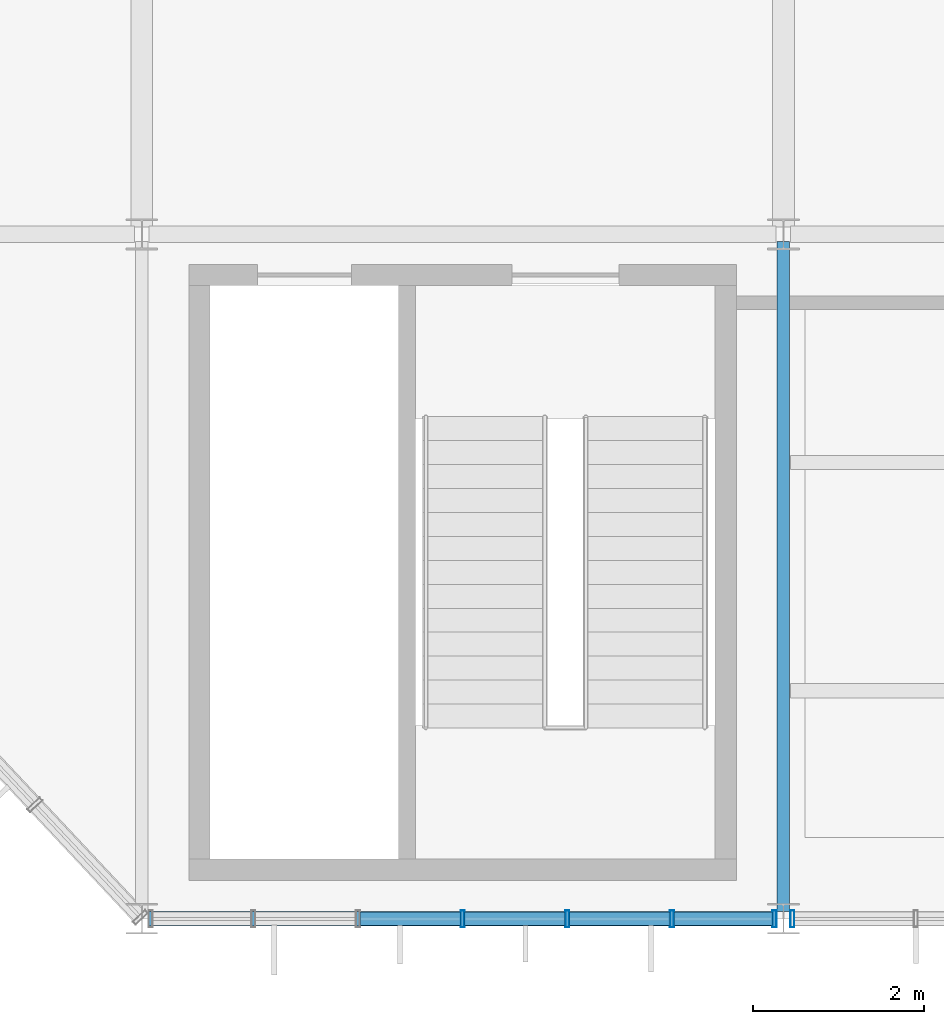
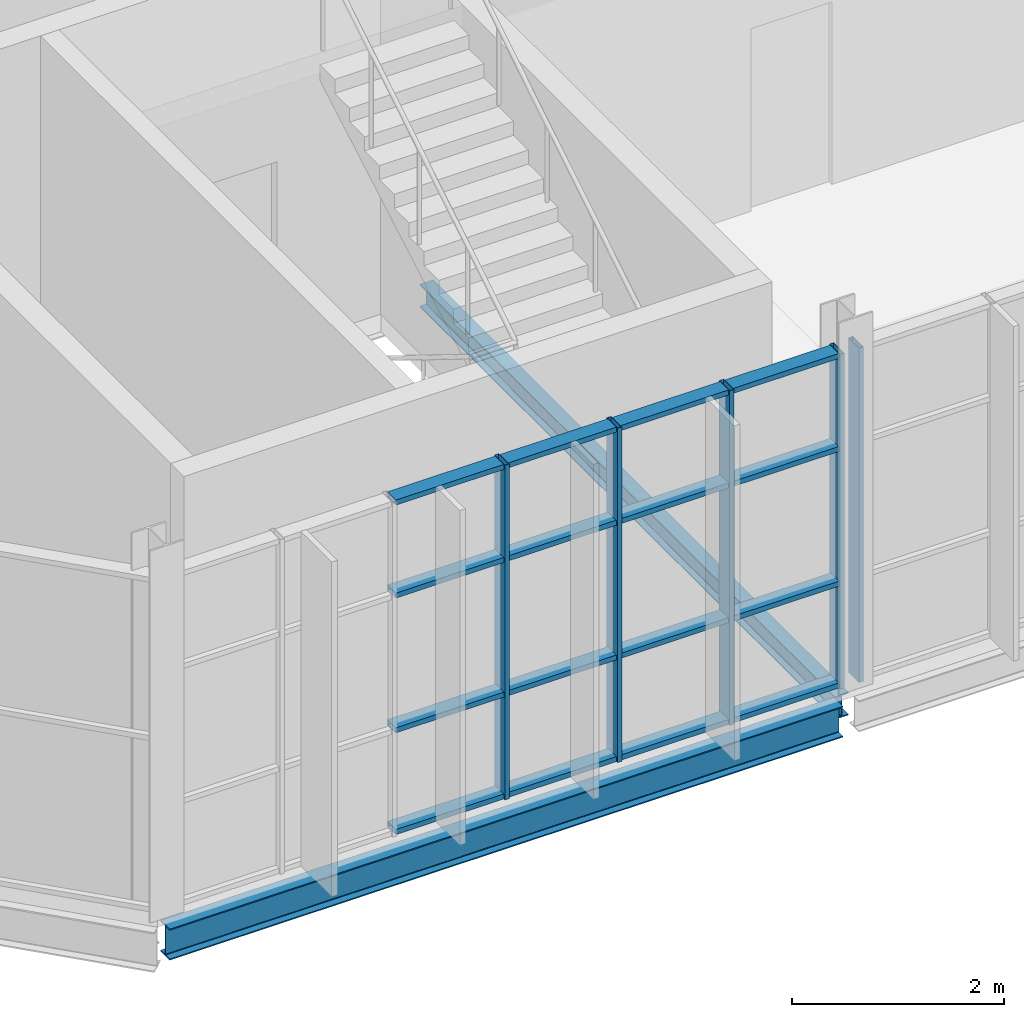
# One storey, part 17 of 324: 21 members, 2 beams, 2 elements without a shape of their own.
"""IFC4 building model written with IfcOpenShell, lengths in metres."""

from ifc_helpers import new_model, si_unit, direction, frame, origin, origin_2d, place, context, subcontext, project, spatial, hollow_rectangle, i_section, extrude, material, layer, layer_set, material_profile, profile_set, type_object, element, aggregate, save


model = new_model("IFC4")

# Units and contexts
model_context = context("Model", 3, precision=1e-05, world=origin(), true_north=direction((0.0, 1.0)))
body_context = subcontext(model_context, "Body", "Model", "MODEL_VIEW")
ifc_project = project(units=[si_unit("LENGTHUNIT", "METRE"), si_unit("AREAUNIT", "SQUARE_METRE"), si_unit("VOLUMEUNIT", "CUBIC_METRE"), si_unit("PLANEANGLEUNIT", "RADIAN"), si_unit("MASSUNIT", "GRAM", prefix="KILO")], contexts=[model_context])

# Site, building, storey
site_placement = place(None, origin())
site = spatial("IfcSite", under=ifc_project, at=site_placement, CompositionType="ELEMENT")
building_placement = place(site_placement, origin())
building = spatial("IfcBuilding", under=site, at=building_placement, Name="Solvenia Promenade Tram Depot", CompositionType="ELEMENT")
storey_placement = place(building_placement, frame((0.0, 0.0, 4.5)))
storey = spatial("IfcBuildingStorey", under=building, at=storey_placement, Name="L01", CompositionType="ELEMENT", Elevation=4.5)

# Curtain wall, members
ifc_material_1 = material(Name="Anodized aluminium AW-6063 T6", Category="aluminium")
ifc_layer_1 = layer(ifc_material_1, 0.179931640625, Name="Anodized aluminium AW-6063 T6", Category="aluminium")
ifc_layer_set_1 = layer_set([ifc_layer_1], Name="Anodized aluminium AW-6063 T6")
curtain_wall_type_1 = type_object("IfcCurtainWallType", Name="CW-Solar-1250", PredefinedType="NOTDEFINED", material=ifc_layer_set_1)
curtain_wall_1_placement = place(storey_placement, origin())
curtain_wall_1 = element("IfcCurtainWall", 1, at=curtain_wall_1_placement, inside=storey, type_object=curtain_wall_type_1, Name="Curtain Wall CW-V4S-L01-01", PredefinedType="NOTDEFINED")
ifc_material_profile_1 = material_profile(ifc_material_1, hollow_rectangle(XDim=0.199951171875, YDim=0.048095703125, WallThickness=0.00390625, at=origin_2d()), Name="ALU-M3", Category="aluminium")
ifc_profile_set_1 = profile_set([ifc_material_profile_1], Name="Anodized aluminium AW-6063 T6")
member_type_1 = type_object("IfcMemberType", Name="CWM-Mullion-3", PredefinedType="MULLION", material=ifc_profile_set_1)
member_1_placement = place(storey_placement, frame((11.25, 0.0, 0.0), z_axis=(0.0, 0.0, 1.0), x_axis=(0.0, 1.0, 0.0)))
member_1 = element("IfcMember", 2, at=member_1_placement, type_object=member_type_1, Name="CW-6 mullion 4", PredefinedType="MULLION", context=body_context, shape_type="SweptSolid", body=[
    extrude(hollow_rectangle(XDim=0.199951171875, YDim=0.048095703125, WallThickness=0.00390625, at=origin_2d()), origin(), (0.0, 0.0, 1.0), 3.85009765625),
])
member_2_placement = place(storey_placement, frame((12.473388671875, 0.0, 0.0), z_axis=(0.0, 0.0, 1.0), x_axis=(0.0, 1.0, 0.0)))
member_2 = element("IfcMember", 3, at=member_2_placement, type_object=member_type_1, Name="CW-6 mullion 5", PredefinedType="MULLION", context=body_context, shape_type="SweptSolid", body=[
    extrude(hollow_rectangle(XDim=0.199951171875, YDim=0.048095703125, WallThickness=0.00390625, at=origin_2d()), origin(), (0.0, 0.0, 1.0), 3.85009765625),
])
member_3_placement = place(storey_placement, frame((13.69677734375, 0.0, 0.0), z_axis=(0.0, 0.0, 1.0), x_axis=(0.0, 1.0, 0.0)))
member_3 = element("IfcMember", 4, at=member_3_placement, type_object=member_type_1, Name="CW-6 mullion 6", PredefinedType="MULLION", context=body_context, shape_type="SweptSolid", body=[
    extrude(hollow_rectangle(XDim=0.199951171875, YDim=0.048095703125, WallThickness=0.00390625, at=origin_2d()), origin(), (0.0, 0.0, 1.0), 3.85009765625),
])
member_4_placement = place(storey_placement, frame((14.89599609375, 0.0, 0.0), z_axis=(0.0, 0.0, 1.0), x_axis=(0.0, 1.0, 0.0)))
member_4 = element("IfcMember", 5, at=member_4_placement, type_object=member_type_1, Name="CW-6 mullion 7", PredefinedType="MULLION", context=body_context, shape_type="SweptSolid", body=[
    extrude(hollow_rectangle(XDim=0.199951171875, YDim=0.048095703125, WallThickness=0.00390625, at=origin_2d()), origin(), (0.0, 0.0, 1.0), 3.85009765625),
])

# Curtain wall, member
ifc_layer_2 = layer(ifc_material_1, 0.179931640625, Name="Anodized aluminium AW-6063 T6", Category="aluminium")
ifc_layer_set_2 = layer_set([ifc_layer_2], Name="Anodized aluminium AW-6063 T6")
curtain_wall_type_2 = type_object("IfcCurtainWallType", Name="CW-Solar-1500", PredefinedType="NOTDEFINED", material=ifc_layer_set_2)
curtain_wall_2_placement = place(storey_placement, origin())
curtain_wall_2 = element("IfcCurtainWall", 6, at=curtain_wall_2_placement, inside=storey, type_object=curtain_wall_type_2, Name="Curtain Wall CW-V4S-L01-02", PredefinedType="NOTDEFINED")
member_5_placement = place(storey_placement, frame((15.10400390625, 0.0, 0.0), z_axis=(0.0, 0.0, 1.0), x_axis=(0.0, 1.0, 0.0)))
member_5 = element("IfcMember", 7, at=member_5_placement, type_object=member_type_1, Name="CW-7 mullion 1", PredefinedType="MULLION", context=body_context, shape_type="SweptSolid", body=[
    extrude(hollow_rectangle(XDim=0.199951171875, YDim=0.048095703125, WallThickness=0.00390625, at=origin_2d()), origin(), (0.0, 0.0, 1.0), 3.85009765625),
])
aggregate(curtain_wall_2, [member_5])

# Member
ifc_material_profile_2 = material_profile(ifc_material_1, hollow_rectangle(XDim=0.159912109375, YDim=0.05810546875, WallThickness=0.00390625, at=origin_2d()), Name="ALU-T3", Category="aluminium")
ifc_profile_set_2 = profile_set([ifc_material_profile_2], Name="Anodized aluminium AW-6063 T6")
member_type_2 = type_object("IfcMemberType", Name="CWT-Transom-3", PredefinedType="USERDEFINED", material=ifc_profile_set_2)
member_6_placement = place(storey_placement, frame((10.05078125, 0.0, 0.029052734375), z_axis=(1.0, 0.0, 0.0), x_axis=(0.0, 1.0, 0.0)))
member_6 = element("IfcMember", 8, at=member_6_placement, type_object=member_type_2, Name="CW-6 transom 3.1", ObjectType="TRANSOM", PredefinedType="USERDEFINED", context=body_context, shape_type="SweptSolid", body=[
    extrude(hollow_rectangle(XDim=0.159912109375, YDim=0.05810546875, WallThickness=0.00390625, at=origin_2d()), origin(), (0.0, 0.0, 1.0), 1.17529296875),
])

member_7_placement = place(storey_placement, frame((10.05078125, 0.0, 1.199951171875), z_axis=(1.0, 0.0, 0.0), x_axis=(0.0, 1.0, 0.0)))
member_7 = element("IfcMember", 9, at=member_7_placement, type_object=member_type_2, Name="CW-6 transom 3.2", ObjectType="TRANSOM", PredefinedType="USERDEFINED", context=body_context, shape_type="SweptSolid", body=[
    extrude(hollow_rectangle(XDim=0.159912109375, YDim=0.05810546875, WallThickness=0.00390625, at=origin_2d()), origin(), (0.0, 0.0, 1.0), 1.17529296875),
])

member_8_placement = place(storey_placement, frame((10.05078125, 0.0, 2.75), z_axis=(1.0, 0.0, 0.0), x_axis=(0.0, 1.0, 0.0)))
member_8 = element("IfcMember", 10, at=member_8_placement, type_object=member_type_2, Name="CW-6 transom 3.3", ObjectType="TRANSOM", PredefinedType="USERDEFINED", context=body_context, shape_type="SweptSolid", body=[
    extrude(hollow_rectangle(XDim=0.159912109375, YDim=0.05810546875, WallThickness=0.00390625, at=origin_2d()), origin(), (0.0, 0.0, 1.0), 1.17529296875),
])

member_9_placement = place(storey_placement, frame((10.05078125, 0.0, 3.821044921875), z_axis=(1.0, 0.0, 0.0), x_axis=(0.0, 1.0, 0.0)))
member_9 = element("IfcMember", 11, at=member_9_placement, type_object=member_type_2, Name="CW-6 transom 3.4", ObjectType="TRANSOM", PredefinedType="USERDEFINED", context=body_context, shape_type="SweptSolid", body=[
    extrude(hollow_rectangle(XDim=0.159912109375, YDim=0.05810546875, WallThickness=0.00390625, at=origin_2d()), origin(), (0.0, 0.0, 1.0), 1.17529296875),
])

member_10_placement = place(storey_placement, frame((11.27392578125, 0.0, 0.029052734375), z_axis=(1.0, 0.0, 0.0), x_axis=(0.0, 1.0, 0.0)))
member_10 = element("IfcMember", 12, at=member_10_placement, type_object=member_type_2, Name="CW-6 transom 4.1", ObjectType="TRANSOM", PredefinedType="USERDEFINED", context=body_context, shape_type="SweptSolid", body=[
    extrude(hollow_rectangle(XDim=0.159912109375, YDim=0.05810546875, WallThickness=0.00390625, at=origin_2d()), origin(), (0.0, 0.0, 1.0), 1.17529296875),
])

member_11_placement = place(storey_placement, frame((11.27392578125, 0.0, 1.199951171875), z_axis=(1.0, 0.0, 0.0), x_axis=(0.0, 1.0, 0.0)))
member_11 = element("IfcMember", 13, at=member_11_placement, type_object=member_type_2, Name="CW-6 transom 4.2", ObjectType="TRANSOM", PredefinedType="USERDEFINED", context=body_context, shape_type="SweptSolid", body=[
    extrude(hollow_rectangle(XDim=0.159912109375, YDim=0.05810546875, WallThickness=0.00390625, at=origin_2d()), origin(), (0.0, 0.0, 1.0), 1.17529296875),
])

member_12_placement = place(storey_placement, frame((11.27392578125, 0.0, 2.75), z_axis=(1.0, 0.0, 0.0), x_axis=(0.0, 1.0, 0.0)))
member_12 = element("IfcMember", 14, at=member_12_placement, type_object=member_type_2, Name="CW-6 transom 4.3", ObjectType="TRANSOM", PredefinedType="USERDEFINED", context=body_context, shape_type="SweptSolid", body=[
    extrude(hollow_rectangle(XDim=0.159912109375, YDim=0.05810546875, WallThickness=0.00390625, at=origin_2d()), origin(), (0.0, 0.0, 1.0), 1.17529296875),
])

member_13_placement = place(storey_placement, frame((11.27392578125, 0.0, 3.821044921875), z_axis=(1.0, 0.0, 0.0), x_axis=(0.0, 1.0, 0.0)))
member_13 = element("IfcMember", 15, at=member_13_placement, type_object=member_type_2, Name="CW-6 transom 4.4", ObjectType="TRANSOM", PredefinedType="USERDEFINED", context=body_context, shape_type="SweptSolid", body=[
    extrude(hollow_rectangle(XDim=0.159912109375, YDim=0.05810546875, WallThickness=0.00390625, at=origin_2d()), origin(), (0.0, 0.0, 1.0), 1.17529296875),
])

member_14_placement = place(storey_placement, frame((12.497314453125, 0.0, 0.029052734375), z_axis=(1.0, 0.0, 0.0), x_axis=(0.0, 1.0, 0.0)))
member_14 = element("IfcMember", 16, at=member_14_placement, type_object=member_type_2, Name="CW-6 transom 5.1", ObjectType="TRANSOM", PredefinedType="USERDEFINED", context=body_context, shape_type="SweptSolid", body=[
    extrude(hollow_rectangle(XDim=0.159912109375, YDim=0.05810546875, WallThickness=0.00390625, at=origin_2d()), origin(), (0.0, 0.0, 1.0), 1.17529296875),
])

member_15_placement = place(storey_placement, frame((12.497314453125, 0.0, 1.199951171875), z_axis=(1.0, 0.0, 0.0), x_axis=(0.0, 1.0, 0.0)))
member_15 = element("IfcMember", 17, at=member_15_placement, type_object=member_type_2, Name="CW-6 transom 5.2", ObjectType="TRANSOM", PredefinedType="USERDEFINED", context=body_context, shape_type="SweptSolid", body=[
    extrude(hollow_rectangle(XDim=0.159912109375, YDim=0.05810546875, WallThickness=0.00390625, at=origin_2d()), origin(), (0.0, 0.0, 1.0), 1.17529296875),
])

member_16_placement = place(storey_placement, frame((12.497314453125, 0.0, 2.75), z_axis=(1.0, 0.0, 0.0), x_axis=(0.0, 1.0, 0.0)))
member_16 = element("IfcMember", 18, at=member_16_placement, type_object=member_type_2, Name="CW-6 transom 5.3", ObjectType="TRANSOM", PredefinedType="USERDEFINED", context=body_context, shape_type="SweptSolid", body=[
    extrude(hollow_rectangle(XDim=0.159912109375, YDim=0.05810546875, WallThickness=0.00390625, at=origin_2d()), origin(), (0.0, 0.0, 1.0), 1.17529296875),
])

member_17_placement = place(storey_placement, frame((12.497314453125, 0.0, 3.821044921875), z_axis=(1.0, 0.0, 0.0), x_axis=(0.0, 1.0, 0.0)))
member_17 = element("IfcMember", 19, at=member_17_placement, type_object=member_type_2, Name="CW-6 transom 5.4", ObjectType="TRANSOM", PredefinedType="USERDEFINED", context=body_context, shape_type="SweptSolid", body=[
    extrude(hollow_rectangle(XDim=0.159912109375, YDim=0.05810546875, WallThickness=0.00390625, at=origin_2d()), origin(), (0.0, 0.0, 1.0), 1.17529296875),
])

member_18_placement = place(storey_placement, frame((13.720703125, 0.0, 0.029052734375), z_axis=(1.0, 0.0, 0.0), x_axis=(0.0, 1.0, 0.0)))
member_18 = element("IfcMember", 20, at=member_18_placement, type_object=member_type_2, Name="CW-6 transom 6.1", ObjectType="TRANSOM", PredefinedType="USERDEFINED", context=body_context, shape_type="SweptSolid", body=[
    extrude(hollow_rectangle(XDim=0.159912109375, YDim=0.05810546875, WallThickness=0.00390625, at=origin_2d()), origin(), (0.0, 0.0, 1.0), 1.1513671875),
])

member_19_placement = place(storey_placement, frame((13.720703125, 0.0, 1.199951171875), z_axis=(1.0, 0.0, 0.0), x_axis=(0.0, 1.0, 0.0)))
member_19 = element("IfcMember", 21, at=member_19_placement, type_object=member_type_2, Name="CW-6 transom 6.2", ObjectType="TRANSOM", PredefinedType="USERDEFINED", context=body_context, shape_type="SweptSolid", body=[
    extrude(hollow_rectangle(XDim=0.159912109375, YDim=0.05810546875, WallThickness=0.00390625, at=origin_2d()), origin(), (0.0, 0.0, 1.0), 1.1513671875),
])

member_20_placement = place(storey_placement, frame((13.720703125, 0.0, 2.75), z_axis=(1.0, 0.0, 0.0), x_axis=(0.0, 1.0, 0.0)))
member_20 = element("IfcMember", 22, at=member_20_placement, type_object=member_type_2, Name="CW-6 transom 6.3", ObjectType="TRANSOM", PredefinedType="USERDEFINED", context=body_context, shape_type="SweptSolid", body=[
    extrude(hollow_rectangle(XDim=0.159912109375, YDim=0.05810546875, WallThickness=0.00390625, at=origin_2d()), origin(), (0.0, 0.0, 1.0), 1.1513671875),
])

member_21_placement = place(storey_placement, frame((13.720703125, 0.0, 3.821044921875), z_axis=(1.0, 0.0, 0.0), x_axis=(0.0, 1.0, 0.0)))
member_21 = element("IfcMember", 23, at=member_21_placement, type_object=member_type_2, Name="CW-6 transom 6.4", ObjectType="TRANSOM", PredefinedType="USERDEFINED", context=body_context, shape_type="SweptSolid", body=[
    extrude(hollow_rectangle(XDim=0.159912109375, YDim=0.05810546875, WallThickness=0.00390625, at=origin_2d()), origin(), (0.0, 0.0, 1.0), 1.1513671875),
])

aggregate(curtain_wall_1, [member_1, member_2, member_3, member_4, member_6, member_7, member_8, member_9, member_10, member_11, member_12, member_13, member_14, member_15, member_16, member_17, member_18, member_19, member_20, member_21])

# Beams
ifc_material_2 = material(Name="Structural steel ASTM A992 Gr. 50", Category="steel")
ifc_material_profile_3 = material_profile(ifc_material_2, i_section(OverallWidth=0.14697265625, OverallDepth=0.261962890625, WebThickness=0.006591796875, FlangeThickness=0.01123046875, FilletRadius=0.010009765625, at=origin_2d()), Name="W250x39", Category="steel")
ifc_profile_set_3 = profile_set([ifc_material_profile_3], Name="Structural steel ASTM A992 Gr. 50")
beam_type_1 = type_object("IfcBeamType", Name="Joist-W250x39", PredefinedType="JOIST", material=ifc_profile_set_3)
beam_1_placement = place(storey_placement, frame((15.0, 0.0849609375, -0.35107421875), z_axis=(0.0, 1.0, 0.0), x_axis=(-1.0, 0.0, 0.0)))
element("IfcBeam", 24, at=beam_1_placement, inside=storey, type_object=beam_type_1, Name="Transverse Girder BM-L01-0333", PredefinedType="JOIST", context=body_context, shape_type="SweptSolid", body=[
    extrude(i_section(OverallWidth=0.14697265625, OverallDepth=0.261962890625, WebThickness=0.006591796875, FlangeThickness=0.01123046875, FilletRadius=0.010009765625, at=origin_2d()), origin(), (0.0, 0.0, 1.0), 7.830078125),
])
ifc_material_profile_4 = material_profile(ifc_material_2, i_section(OverallWidth=0.172119140625, OverallDepth=0.35791015625, WebThickness=0.0078125, FlangeThickness=0.01318359375, FilletRadius=0.010986328125, at=origin_2d()), Name="W360x57", Category="steel")
ifc_profile_set_4 = profile_set([ifc_material_profile_4], Name="Structural steel ASTM A992 Gr. 50")
beam_type_2 = type_object("IfcBeamType", Name="Spandrel-W360x57", PredefinedType="SPANDREL", material=ifc_profile_set_4)
beam_2_placement = place(storey_placement, frame((7.5849609375, 0.0, -0.39892578125), z_axis=(1.0, 0.0, 0.0), x_axis=(0.0, 1.0, 0.0)))
element("IfcBeam", 25, at=beam_2_placement, inside=storey, type_object=beam_type_2, Name="Perimeter Spandrel BM-L01-0302", PredefinedType="SPANDREL", context=body_context, shape_type="SweptSolid", body=[
    extrude(i_section(OverallWidth=0.172119140625, OverallDepth=0.35791015625, WebThickness=0.0078125, FlangeThickness=0.01318359375, FilletRadius=0.010986328125, at=origin_2d()), origin(), (0.0, 0.0, 1.0), 7.330078125),
])

save(model, "model.ifc")
